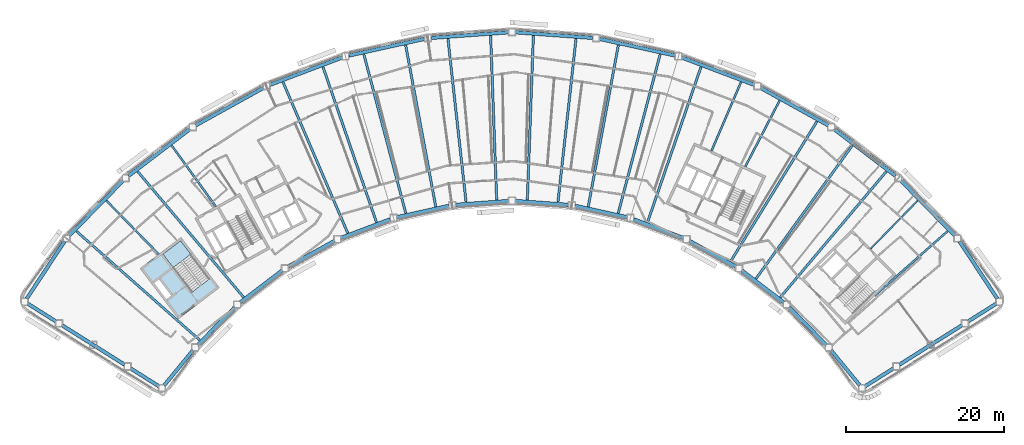
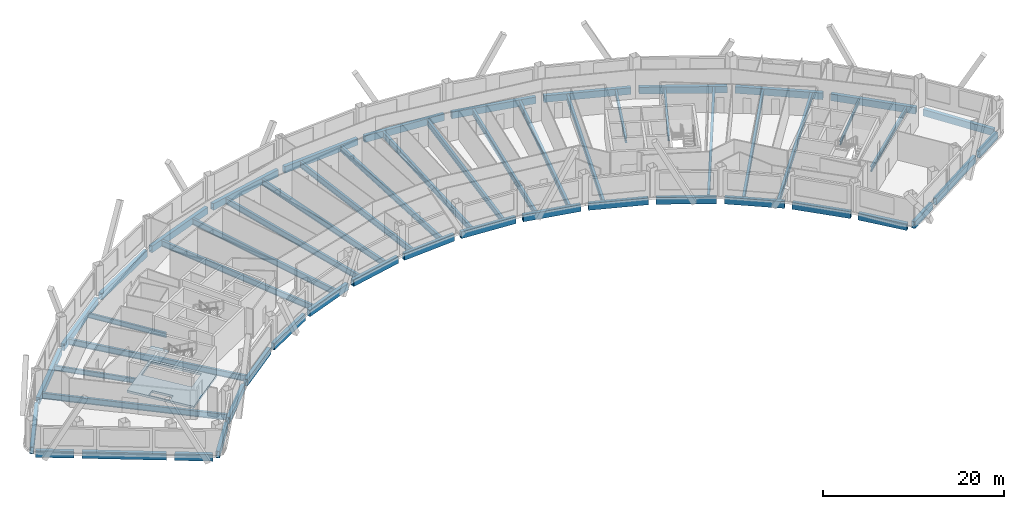
# One storey, part 3 of 15: 56 beams, 2 slabs, 1 element without a shape of its own.
"""IFC4 building model written with IfcOpenShell, lengths in metres."""

from ifc_helpers import new_model, si_unit, direction, frame, origin, origin_2d, place, context, subcontext, project, spatial, polyline, hollow_rectangle, i_section, outline, extrude, material, layer, layer_set, material_profile, profile_set, type_object, element, aggregate, save


model = new_model("IFC4")

# Units and contexts
model_context = context("Model", 3, precision=1e-05, world=origin(), true_north=direction((0.0, 1.0)))
body_context = subcontext(model_context, "Body", "Model", "MODEL_VIEW")
ifc_project = project(units=[si_unit("LENGTHUNIT", "METRE"), si_unit("AREAUNIT", "SQUARE_METRE"), si_unit("VOLUMEUNIT", "CUBIC_METRE"), si_unit("PLANEANGLEUNIT", "RADIAN"), si_unit("MASSUNIT", "GRAM", prefix="KILO")], contexts=[model_context])

# Site, building, storey
site_placement = place(None, origin())
site = spatial("IfcSite", under=ifc_project, at=site_placement, CompositionType="ELEMENT")
building_placement = place(site_placement, origin())
building = spatial("IfcBuilding", under=site, at=building_placement, Name="Tuul Gate Civic Tower", CompositionType="ELEMENT")
storey_placement = place(building_placement, frame((0.0, 0.0, 226.300048828125)))
storey = spatial("IfcBuildingStorey", under=building, at=storey_placement, Name="Level 51", CompositionType="ELEMENT", Elevation=226.300048828125)

# Beams
ifc_material_1 = material(Name="Steel S355", Category="steel")
ifc_material_profile_1 = material_profile(ifc_material_1, i_section(OverallWidth=0.199951171875, OverallDepth=0.5, WebThickness=0.010009765625, FlangeThickness=0.01611328125, at=origin_2d()), Name="PG500x200x10x16")
ifc_profile_set_1 = profile_set([ifc_material_profile_1], Name="Steel S355")
beam_type_1 = type_object("IfcBeamType", Name="STR-FLOOR BEAM-PG500x200x10x16", PredefinedType="BEAM", material=ifc_profile_set_1)
beam_1_placement = place(storey_placement, frame((51.3310546875, -8.854248046875, -0.550048828125), z_axis=(0.698691017766, 0.715423554052, 0.0), x_axis=(-0.715423554052, 0.698691017766, 0.0)))
element("IfcBeam", 1, at=beam_1_placement, inside=storey, type_object=beam_type_1, Name="Floor beam", PredefinedType="BEAM", context=body_context, shape_type="SweptSolid", body=[
    extrude(i_section(OverallWidth=0.199951171875, OverallDepth=0.5, WebThickness=0.010009765625, FlangeThickness=0.01611328125, at=origin_2d()), origin(), (0.0, 0.0, 1.0), 8.50634765625),
])
ifc_material_2 = material(Name="Steel S355", Category="steel")
ifc_material_profile_2 = material_profile(ifc_material_2, i_section(OverallWidth=0.25, OverallDepth=0.64990234375, WebThickness=0.011962890625, FlangeThickness=0.02001953125, at=origin_2d()), Name="PG650x250x12x20")
ifc_profile_set_2 = profile_set([ifc_material_profile_2], Name="Steel S355")
beam_type_2 = type_object("IfcBeamType", Name="STR-FLOOR BEAM-PG650x250x12x20", PredefinedType="BEAM", material=ifc_profile_set_2)
beam_2_placement = place(storey_placement, frame((51.833740234375, -14.790771484375, -0.625), z_axis=(0.749448461943, 0.662062688037, 0.0), x_axis=(-0.662062688037, 0.749448461943, 0.0)))
element("IfcBeam", 2, at=beam_2_placement, inside=storey, type_object=beam_type_2, Name="Floor beam", PredefinedType="BEAM", context=body_context, shape_type="SweptSolid", body=[
    extrude(i_section(OverallWidth=0.25, OverallDepth=0.64990234375, WebThickness=0.011962890625, FlangeThickness=0.02001953125, at=origin_2d()), origin(), (0.0, 0.0, 1.0), 12.31787109375),
])
beam_3_placement = place(storey_placement, frame((35.4609375, 1.528564453125, -0.625), z_axis=(0.460792486789, 0.887507906511, 0.0), x_axis=(-0.887507906511, 0.460792486789, 0.0)))
element("IfcBeam", 3, at=beam_3_placement, inside=storey, type_object=beam_type_2, Name="Floor beam", PredefinedType="BEAM", context=body_context, shape_type="SweptSolid", body=[
    extrude(i_section(OverallWidth=0.25, OverallDepth=0.64990234375, WebThickness=0.011962890625, FlangeThickness=0.02001953125, at=origin_2d()), origin(), (0.0, 0.0, 1.0), 9.4140625),
])
beam_4_placement = place(storey_placement, frame((31.184814453125, 3.5224609375, -0.625), z_axis=(0.394202008704, 0.919023817066, 0.0), x_axis=(-0.919023817066, 0.394202008704, 0.0)))
element("IfcBeam", 4, at=beam_4_placement, inside=storey, type_object=beam_type_2, Name="Floor beam", PredefinedType="BEAM", context=body_context, shape_type="SweptSolid", body=[
    extrude(i_section(OverallWidth=0.25, OverallDepth=0.64990234375, WebThickness=0.011962890625, FlangeThickness=0.02001953125, at=origin_2d()), origin(), (0.0, 0.0, 1.0), 9.48388671875),
])
beam_5_placement = place(storey_placement, frame((-31.535888671875, -3.523193359375, -0.625), z_axis=(-0.586084023539, 0.810250280686, 0.0), x_axis=(-0.810250280686, -0.586084023539, 0.0)))
element("IfcBeam", 5, at=beam_5_placement, inside=storey, type_object=beam_type_2, Name="Floor beam", PredefinedType="BEAM", context=body_context, shape_type="SweptSolid", body=[
    extrude(i_section(OverallWidth=0.25, OverallDepth=0.64990234375, WebThickness=0.011962890625, FlangeThickness=0.02001953125, at=origin_2d()), origin(), (0.0, 0.0, 1.0), 9.53515625),
])
beam_6_placement = place(storey_placement, frame((-38.757568359375, -9.564697265625, -0.625), z_axis=(-0.698678959674, 0.715435329928, 0.0), x_axis=(-0.715435329928, -0.698678959674, 0.0)))
element("IfcBeam", 6, at=beam_6_placement, inside=storey, type_object=beam_type_2, Name="Floor beam", PredefinedType="BEAM", context=body_context, shape_type="SweptSolid", body=[
    extrude(i_section(OverallWidth=0.25, OverallDepth=0.64990234375, WebThickness=0.011962890625, FlangeThickness=0.02001953125, at=origin_2d()), origin(), (0.0, 0.0, 1.0), 9.499755859375),
])
ifc_material_3 = material(Name="Steel S355", Category="steel")
ifc_material_profile_3 = material_profile(ifc_material_3, i_section(OverallWidth=0.300048828125, OverallDepth=0.800048828125, WebThickness=0.013916015625, FlangeThickness=0.02490234375, at=origin_2d()), Name="PG800x300x14x25")
ifc_profile_set_3 = profile_set([ifc_material_profile_3], Name="Steel S355")
beam_type_3 = type_object("IfcBeamType", Name="STR-FLOOR BEAM-PG800x300x14x25", PredefinedType="BEAM", material=ifc_profile_set_3)
beam_7_placement = place(storey_placement, frame((39.8974609375, -15.008056640625, -0.699951171875), z_axis=(0.644132135775, 0.764914238109, 0.0), x_axis=(-0.764914238109, 0.644132135775, 0.0)))
element("IfcBeam", 7, at=beam_7_placement, inside=storey, type_object=beam_type_3, Name="Floor beam", PredefinedType="BEAM", context=body_context, shape_type="SweptSolid", body=[
    extrude(i_section(OverallWidth=0.300048828125, OverallDepth=0.800048828125, WebThickness=0.013916015625, FlangeThickness=0.02490234375, at=origin_2d()), origin(), (0.0, 0.0, 1.0), 20.82568359375),
])
beam_8_placement = place(storey_placement, frame((36.80908203125, -12.656494140625, -0.699951171875), z_axis=(0.586087172263, 0.810248003089, 0.0), x_axis=(-0.810248003089, 0.586087172263, 0.0)))
element("IfcBeam", 8, at=beam_8_placement, inside=storey, type_object=beam_type_3, Name="Floor beam", PredefinedType="BEAM", context=body_context, shape_type="SweptSolid", body=[
    extrude(i_section(OverallWidth=0.300048828125, OverallDepth=0.800048828125, WebThickness=0.013916015625, FlangeThickness=0.02490234375, at=origin_2d()), origin(), (0.0, 0.0, 1.0), 20.806884765625),
])
beam_9_placement = place(storey_placement, frame((33.605712890625, -10.46533203125, -0.699951171875), z_axis=(0.524856706834, 0.851190599861, 0.0), x_axis=(-0.851190599861, 0.524856706834, 0.0)))
element("IfcBeam", 9, at=beam_9_placement, inside=storey, type_object=beam_type_3, Name="Floor beam", PredefinedType="BEAM", context=body_context, shape_type="SweptSolid", body=[
    extrude(i_section(OverallWidth=0.300048828125, OverallDepth=0.800048828125, WebThickness=0.013916015625, FlangeThickness=0.02490234375, at=origin_2d()), origin(), (0.0, 0.0, 1.0), 20.82275390625),
])
beam_10_placement = place(storey_placement, frame((23.0859375, -5.52294921875, -0.699951171875), z_axis=(0.325486974479, 0.945546524209, 0.0), x_axis=(-0.945546524209, 0.325486974479, 0.0)))
element("IfcBeam", 10, at=beam_10_placement, inside=storey, type_object=beam_type_3, Name="Floor beam", PredefinedType="BEAM", context=body_context, shape_type="SweptSolid", body=[
    extrude(i_section(OverallWidth=0.300048828125, OverallDepth=0.800048828125, WebThickness=0.013916015625, FlangeThickness=0.02490234375, at=origin_2d()), origin(), (0.0, 0.0, 1.0), 20.809326171875),
])
beam_11_placement = place(storey_placement, frame((19.37841796875, -4.3759765625, -0.699951171875), z_axis=(0.255007612054, 0.966939045542, 0.0), x_axis=(-0.966939045542, 0.255007612054, 0.0)))
element("IfcBeam", 11, at=beam_11_placement, inside=storey, type_object=beam_type_3, Name="Floor beam", PredefinedType="BEAM", context=body_context, shape_type="SweptSolid", body=[
    extrude(i_section(OverallWidth=0.300048828125, OverallDepth=0.800048828125, WebThickness=0.013916015625, FlangeThickness=0.02490234375, at=origin_2d()), origin(), (0.0, 0.0, 1.0), 20.8173828125),
])
beam_12_placement = place(storey_placement, frame((15.58837890625, -3.540771484375, -0.699951171875), z_axis=(0.1831360046, 0.983087587054, 0.0), x_axis=(-0.983087587054, 0.1831360046, 0.0)))
element("IfcBeam", 12, at=beam_12_placement, inside=storey, type_object=beam_type_3, Name="Floor beam", PredefinedType="BEAM", context=body_context, shape_type="SweptSolid", body=[
    extrude(i_section(OverallWidth=0.300048828125, OverallDepth=0.800048828125, WebThickness=0.013916015625, FlangeThickness=0.02490234375, at=origin_2d()), origin(), (0.0, 0.0, 1.0), 20.811279296875),
])
beam_13_placement = place(storey_placement, frame((11.7509765625, -2.960693359375, -0.699951171875), z_axis=(0.110288630292, 0.993899601584, 0.0), x_axis=(-0.993899601584, 0.110288630292, 0.0)))
element("IfcBeam", 13, at=beam_13_placement, inside=storey, type_object=beam_type_3, Name="Floor beam", PredefinedType="BEAM", context=body_context, shape_type="SweptSolid", body=[
    extrude(i_section(OverallWidth=0.300048828125, OverallDepth=0.800048828125, WebThickness=0.013916015625, FlangeThickness=0.02490234375, at=origin_2d()), origin(), (0.0, 0.0, 1.0), 20.81494140625),
])
for number, where, z_axis, x_axis, name in (
    (14, (7.880126953125, -2.679931640625, -0.699951171875), (0.036833774102, 0.999321406298, 0.0), (-0.999321406298, 0.036833774102, 0.0), "Floor beam"),
    (15, (3.99951171875, -2.679931640625, -0.699951171875), (-0.036833774102, 0.999321406298, 0.0), (-0.999321406298, -0.036833774102, 0.0), "Floor beam"),
):
    element("IfcBeam", number, at=place(storey_placement, frame(where, z_axis=z_axis, x_axis=x_axis)), inside=storey, type_object=beam_type_3, Name=name, PredefinedType="BEAM", context=body_context, shape_type="SweptSolid", body=[
        extrude(i_section(OverallWidth=0.300048828125, OverallDepth=0.800048828125, WebThickness=0.013916015625, FlangeThickness=0.02490234375, at=origin_2d()), origin(), (0.0, 0.0, 1.0), 20.8125),
    ])
beam_14_placement = place(storey_placement, frame((0.128662109375, -2.960693359375, -0.699951171875), z_axis=(-0.110287344613, 0.993899744249, 0.0), x_axis=(-0.993899744249, -0.110287344613, 0.0)))
element("IfcBeam", 16, at=beam_14_placement, inside=storey, type_object=beam_type_3, Name="Floor beam", PredefinedType="BEAM", context=body_context, shape_type="SweptSolid", body=[
    extrude(i_section(OverallWidth=0.300048828125, OverallDepth=0.800048828125, WebThickness=0.013916015625, FlangeThickness=0.02490234375, at=origin_2d()), origin(), (0.0, 0.0, 1.0), 20.815185546875),
])
beam_15_placement = place(storey_placement, frame((-3.708740234375, -3.540771484375, -0.699951171875), z_axis=(-0.183133892551, 0.983087980498, 0.0), x_axis=(-0.983087980498, -0.183133892551, 0.0)))
element("IfcBeam", 17, at=beam_15_placement, inside=storey, type_object=beam_type_3, Name="Floor beam", PredefinedType="BEAM", context=body_context, shape_type="SweptSolid", body=[
    extrude(i_section(OverallWidth=0.300048828125, OverallDepth=0.800048828125, WebThickness=0.013916015625, FlangeThickness=0.02490234375, at=origin_2d()), origin(), (0.0, 0.0, 1.0), 20.8115234375),
])
beam_16_placement = place(storey_placement, frame((-7.498779296875, -4.3759765625, -0.699951171875), z_axis=(-0.255004720301, 0.96693980817, 0.0), x_axis=(-0.96693980817, -0.255004720301, 0.0)))
element("IfcBeam", 18, at=beam_16_placement, inside=storey, type_object=beam_type_3, Name="Floor beam", PredefinedType="BEAM", context=body_context, shape_type="SweptSolid", body=[
    extrude(i_section(OverallWidth=0.300048828125, OverallDepth=0.800048828125, WebThickness=0.013916015625, FlangeThickness=0.02490234375, at=origin_2d()), origin(), (0.0, 0.0, 1.0), 20.817626953125),
])
beam_17_placement = place(storey_placement, frame((-11.20654296875, -5.522705078125, -0.699951171875), z_axis=(-0.325476485131, 0.945550134909, 0.0), x_axis=(-0.945550134909, -0.325476485131, 0.0)))
element("IfcBeam", 19, at=beam_17_placement, inside=storey, type_object=beam_type_3, Name="Floor beam", PredefinedType="BEAM", context=body_context, shape_type="SweptSolid", body=[
    extrude(i_section(OverallWidth=0.300048828125, OverallDepth=0.800048828125, WebThickness=0.013916015625, FlangeThickness=0.02490234375, at=origin_2d()), origin(), (0.0, 0.0, 1.0), 20.809326171875),
])
beam_18_placement = place(storey_placement, frame((-14.836669921875, -6.895263671875, -0.699951171875), z_axis=(-0.394196672068, 0.91902610612, 0.0), x_axis=(-0.91902610612, -0.394196672068, 0.0)))
element("IfcBeam", 20, at=beam_18_placement, inside=storey, type_object=beam_type_3, Name="Floor beam", PredefinedType="BEAM", context=body_context, shape_type="SweptSolid", body=[
    extrude(i_section(OverallWidth=0.300048828125, OverallDepth=0.800048828125, WebThickness=0.013916015625, FlangeThickness=0.02490234375, at=origin_2d()), origin(), (0.0, 0.0, 1.0), 20.819580078125),
])
beam_19_placement = place(storey_placement, frame((-28.017822265625, -15.0078125, -0.699951171875), z_axis=(-0.644126359816, 0.764919101991, 0.0), x_axis=(-0.764919101991, -0.644126359816, 0.0)))
element("IfcBeam", 21, at=beam_19_placement, inside=storey, type_object=beam_type_3, Name="Floor beam", PredefinedType="BEAM", context=body_context, shape_type="SweptSolid", body=[
    extrude(i_section(OverallWidth=0.300048828125, OverallDepth=0.800048828125, WebThickness=0.013916015625, FlangeThickness=0.02490234375, at=origin_2d()), origin(), (0.0, 0.0, 1.0), 20.825927734375),
])
beam_20_placement = place(storey_placement, frame((-33.57568359375, -20.42529296875, -0.699951171875), z_axis=(-0.749447427269, 0.662063859277, 0.0), x_axis=(-0.662063859277, -0.749447427269, 0.0)))
element("IfcBeam", 22, at=beam_20_placement, inside=storey, type_object=beam_type_3, Name="Floor beam", PredefinedType="BEAM", context=body_context, shape_type="SweptSolid", body=[
    extrude(i_section(OverallWidth=0.300048828125, OverallDepth=0.800048828125, WebThickness=0.013916015625, FlangeThickness=0.02490234375, at=origin_2d()), origin(), (0.0, 0.0, 1.0), 20.82861328125),
])
ifc_material_4 = material(Name="Steel S355", Category="steel")
ifc_material_profile_4 = material_profile(ifc_material_4, hollow_rectangle(XDim=0.449951171875, YDim=0.89990234375, WallThickness=0.02490234375, at=origin_2d()), Name="BOX900x450x25")
ifc_profile_set_4 = profile_set([ifc_material_profile_4], Name="Steel S355")
beam_type_4 = type_object("IfcBeamType", Name="STR-SPANDREL BEAM-BOX900x450x25", PredefinedType="BEAM", material=ifc_profile_set_4)
beam_21_placement = place(storey_placement, frame((67.36279296875, -15.187744140625, -0.75), z_axis=(-0.551583824499, 0.834119466594, 0.0), x_axis=(-0.834119466594, -0.551583824499, 0.0)))
element("IfcBeam", 23, at=beam_21_placement, inside=storey, type_object=beam_type_4, Name="Spandrel beam", PredefinedType="BEAM", context=body_context, shape_type="SweptSolid", body=[
    extrude(hollow_rectangle(XDim=0.449951171875, YDim=0.89990234375, WallThickness=0.02490234375, at=origin_2d()), origin(), (0.0, 0.0, 1.0), 8.706787109375),
])
beam_22_placement = place(storey_placement, frame((61.9970703125, -7.228759765625, -0.75), z_axis=(-0.700043201451, 0.7141004944, 0.0), x_axis=(-0.7141004944, -0.700043201451, 0.0)))
element("IfcBeam", 24, at=beam_22_placement, inside=storey, type_object=beam_type_4, Name="Spandrel beam", PredefinedType="BEAM", context=body_context, shape_type="SweptSolid", body=[
    extrude(hollow_rectangle(XDim=0.449951171875, YDim=0.89990234375, WallThickness=0.02490234375, at=origin_2d()), origin(), (0.0, 0.0, 1.0), 9.77783203125),
])
beam_23_placement = place(storey_placement, frame((54.47900390625, 0.34765625, -0.75), z_axis=(-0.795631153365, 0.605781369634, 0.0), x_axis=(-0.605781369634, -0.795631153365, 0.0)))
element("IfcBeam", 25, at=beam_23_placement, inside=storey, type_object=beam_type_4, Name="Spandrel beam", PredefinedType="BEAM", context=body_context, shape_type="SweptSolid", body=[
    extrude(hollow_rectangle(XDim=0.449951171875, YDim=0.89990234375, WallThickness=0.02490234375, at=origin_2d()), origin(), (0.0, 0.0, 1.0), 9.777099609375),
])
beam_24_placement = place(storey_placement, frame((45.948486328125, 6.76123046875, -0.75), z_axis=(-0.874650322207, 0.48475438509, 0.0), x_axis=(-0.48475438509, -0.874650322207, 0.0)))
element("IfcBeam", 26, at=beam_24_placement, inside=storey, type_object=beam_type_4, Name="Spandrel beam", PredefinedType="BEAM", context=body_context, shape_type="SweptSolid", body=[
    extrude(hollow_rectangle(XDim=0.449951171875, YDim=0.89990234375, WallThickness=0.02490234375, at=origin_2d()), origin(), (0.0, 0.0, 1.0), 9.777587890625),
])
for number, where, z_axis, x_axis, name in (
    (27, (36.58203125, 11.878173828125, -0.75), (-0.935338294107, 0.353754541423, 0.0), (-0.353754541423, -0.935338294107, 0.0), "Spandrel beam"),
    (28, (26.57666015625, 15.5927734375, -0.75), (-0.976560449923, 0.215243321955, 0.0), (-0.215243321955, -0.976560449923, 0.0), "Spandrel beam"),
):
    element("IfcBeam", number, at=place(storey_placement, frame(where, z_axis=z_axis, x_axis=x_axis)), inside=storey, type_object=beam_type_4, Name=name, PredefinedType="BEAM", context=body_context, shape_type="SweptSolid", body=[
        extrude(hollow_rectangle(XDim=0.449951171875, YDim=0.89990234375, WallThickness=0.02490234375, at=origin_2d()), origin(), (0.0, 0.0, 1.0), 9.77734375),
    ])
beam_25_placement = place(storey_placement, frame((16.14013671875, 17.826416015625, -0.75), z_axis=(-0.997388890217, 0.072217737926, 0.0), x_axis=(-0.072217737926, -0.997388890217, 0.0)))
element("IfcBeam", 29, at=beam_25_placement, inside=storey, type_object=beam_type_4, Name="Spandrel beam", PredefinedType="BEAM", context=body_context, shape_type="SweptSolid", body=[
    extrude(hollow_rectangle(XDim=0.449951171875, YDim=0.89990234375, WallThickness=0.02490234375, at=origin_2d()), origin(), (0.0, 0.0, 1.0), 9.77685546875),
])
beam_26_placement = place(storey_placement, frame((5.4912109375, 18.532470703125, -0.75), z_axis=(-0.997389541279, -0.072208745641, 0.0), x_axis=(0.072208745641, -0.997389541279, 0.0)))
element("IfcBeam", 30, at=beam_26_placement, inside=storey, type_object=beam_type_4, Name="Spandrel beam", PredefinedType="BEAM", context=body_context, shape_type="SweptSolid", body=[
    extrude(hollow_rectangle(XDim=0.449951171875, YDim=0.89990234375, WallThickness=0.02490234375, at=origin_2d()), origin(), (0.0, 0.0, 1.0), 9.778076171875),
])
for number, where, z_axis, x_axis, name in (
    (31, (-5.1494140625, 17.697265625, -0.75), (-0.976560449923, -0.215243321955, 0.0), (0.215243321955, -0.976560449923, 0.0), "Spandrel beam"),
    (32, (-15.557861328125, 15.3369140625, -0.75), (-0.93534141884, -0.353746279418, 0.0), (0.353746279418, -0.93534141884, 0.0), "Spandrel beam"),
    (33, (-25.517578125, 11.5009765625, -0.75), (-0.874644454553, -0.484764972042, 0.0), (0.484764972042, -0.874644454553, 0.0), "Spandrel beam"),
):
    element("IfcBeam", number, at=place(storey_placement, frame(where, z_axis=z_axis, x_axis=x_axis)), inside=storey, type_object=beam_type_4, Name=name, PredefinedType="BEAM", context=body_context, shape_type="SweptSolid", body=[
        extrude(hollow_rectangle(XDim=0.449951171875, YDim=0.89990234375, WallThickness=0.02490234375, at=origin_2d()), origin(), (0.0, 0.0, 1.0), 9.77734375),
    ])
for number, where, z_axis, x_axis, name in (
    (34, (-34.821044921875, 6.2705078125, -0.75), (-0.795621989686, -0.605793404989, 0.0), (0.605793404989, -0.795621989686, 0.0), "Spandrel beam"),
    (35, (-43.27294921875, -0.246337890625, -0.75), (-0.700004749071, -0.714138187803, 0.0), (0.714138187803, -0.700004749071, 0.0), "Spandrel beam"),
):
    element("IfcBeam", number, at=place(storey_placement, frame(where, z_axis=z_axis, x_axis=x_axis)), inside=storey, type_object=beam_type_4, Name=name, PredefinedType="BEAM", context=body_context, shape_type="SweptSolid", body=[
        extrude(hollow_rectangle(XDim=0.449951171875, YDim=0.89990234375, WallThickness=0.02490234375, at=origin_2d()), origin(), (0.0, 0.0, 1.0), 9.777099609375),
    ])
beam_27_placement = place(storey_placement, frame((-50.68017578125, -7.92529296875, -0.75), z_axis=(-0.551583824499, -0.834119466594, 0.0), x_axis=(0.834119466594, -0.551583824499, 0.0)))
element("IfcBeam", 36, at=beam_27_placement, inside=storey, type_object=beam_type_4, Name="Spandrel beam", PredefinedType="BEAM", context=body_context, shape_type="SweptSolid", body=[
    extrude(hollow_rectangle(XDim=0.449951171875, YDim=0.89990234375, WallThickness=0.02490234375, at=origin_2d()), origin(), (0.0, 0.0, 1.0), 8.706787109375),
])
beam_28_placement = place(storey_placement, frame((-55.35009765625, -15.802734375, -0.75), z_axis=(0.846220312891, -0.532833165307, 0.0), x_axis=(0.532833165307, 0.846220312891, 0.0)))
element("IfcBeam", 37, at=beam_28_placement, inside=storey, type_object=beam_type_4, Name="Spandrel beam", PredefinedType="BEAM", context=body_context, shape_type="SweptSolid", body=[
    extrude(hollow_rectangle(XDim=0.449951171875, YDim=0.89990234375, WallThickness=0.02490234375, at=origin_2d()), origin(), (0.0, 0.0, 1.0), 4.23095703125),
])
beam_29_placement = place(storey_placement, frame((-51.00830078125, -18.536865234375, -0.75), z_axis=(0.84616970281, -0.532913533367, 0.0), x_axis=(0.532913533367, 0.84616970281, 0.0)))
element("IfcBeam", 38, at=beam_29_placement, inside=storey, type_object=beam_type_4, Name="Spandrel beam", PredefinedType="BEAM", context=body_context, shape_type="SweptSolid", body=[
    extrude(hollow_rectangle(XDim=0.449951171875, YDim=0.89990234375, WallThickness=0.02490234375, at=origin_2d()), origin(), (0.0, 0.0, 1.0), 9.364013671875),
])
beam_30_placement = place(storey_placement, frame((-42.3232421875, -24.0068359375, -0.75), z_axis=(0.846285824254, -0.532729109085, 0.0), x_axis=(0.532729109085, 0.846285824254, 0.0)))
element("IfcBeam", 39, at=beam_30_placement, inside=storey, type_object=beam_type_4, Name="Spandrel beam", PredefinedType="BEAM", context=body_context, shape_type="SweptSolid", body=[
    extrude(hollow_rectangle(XDim=0.449951171875, YDim=0.89990234375, WallThickness=0.02490234375, at=origin_2d()), origin(), (0.0, 0.0, 1.0), 4.231689453125),
])
beam_31_placement = place(storey_placement, frame((-38.075439453125, -26.153076171875, -0.75), z_axis=(0.634388157307, 0.773014660837, 0.0), x_axis=(-0.773014660837, 0.634388157307, 0.0)))
element("IfcBeam", 40, at=beam_31_placement, inside=storey, type_object=beam_type_4, Name="Spandrel beam", PredefinedType="BEAM", context=body_context, shape_type="SweptSolid", body=[
    extrude(hollow_rectangle(XDim=0.449951171875, YDim=0.89990234375, WallThickness=0.02490234375, at=origin_2d()), origin(), (0.0, 0.0, 1.0), 5.751953125),
])
beam_32_placement = place(storey_placement, frame((-33.825927734375, -21.03759765625, -0.75), z_axis=(0.700011215993, 0.71413184881, 0.0), x_axis=(-0.71413184881, 0.700011215993, 0.0)))
element("IfcBeam", 41, at=beam_32_placement, inside=storey, type_object=beam_type_4, Name="Spandrel beam", PredefinedType="BEAM", context=body_context, shape_type="SweptSolid", body=[
    extrude(hollow_rectangle(XDim=0.449951171875, YDim=0.89990234375, WallThickness=0.02490234375, at=origin_2d()), origin(), (0.0, 0.0, 1.0), 6.691162109375),
])
beam_33_placement = place(storey_placement, frame((-28.468994140625, -15.665283203125, -0.75), z_axis=(0.795622636526, 0.605792555458, 0.0), x_axis=(-0.605792555458, 0.795622636526, 0.0)))
element("IfcBeam", 42, at=beam_33_placement, inside=storey, type_object=beam_type_4, Name="Spandrel beam", PredefinedType="BEAM", context=body_context, shape_type="SweptSolid", body=[
    extrude(hollow_rectangle(XDim=0.449951171875, YDim=0.89990234375, WallThickness=0.02490234375, at=origin_2d()), origin(), (0.0, 0.0, 1.0), 6.691650390625),
])
beam_34_placement = place(storey_placement, frame((-22.393310546875, -11.120849609375, -0.75), z_axis=(0.874595742166, 0.484852851683, 0.0), x_axis=(-0.484852851683, 0.874595742166, 0.0)))
element("IfcBeam", 43, at=beam_34_placement, inside=storey, type_object=beam_type_4, Name="Spandrel beam", PredefinedType="BEAM", context=body_context, shape_type="SweptSolid", body=[
    extrude(hollow_rectangle(XDim=0.449951171875, YDim=0.89990234375, WallThickness=0.02490234375, at=origin_2d()), origin(), (0.0, 0.0, 1.0), 6.69189453125),
])
beam_35_placement = place(storey_placement, frame((-15.72607421875, -7.498779296875, -0.75), z_axis=(0.935369130225, 0.353672999001, 0.0), x_axis=(-0.353672999001, 0.935369130225, 0.0)))
element("IfcBeam", 44, at=beam_35_placement, inside=storey, type_object=beam_type_4, Name="Spandrel beam", PredefinedType="BEAM", context=body_context, shape_type="SweptSolid", body=[
    extrude(hollow_rectangle(XDim=0.449951171875, YDim=0.89990234375, WallThickness=0.02490234375, at=origin_2d()), origin(), (0.0, 0.0, 1.0), 6.691650390625),
])
for number, where, z_axis, x_axis, name in (
    (45, (-8.6064453125, -4.876220703125, -0.75), (0.976558183094, 0.215253606316, 0.0), (-0.215253606316, 0.976558183094, 0.0), "Spandrel beam"),
    (46, (-1.18310546875, -3.306396484375, -0.75), (0.997382203544, 0.07231002734, 0.0), (-0.07231002734, 0.997382203544, 0.0), "Spandrel beam"),
    (47, (6.388916015625, -2.822509765625, -0.75), (0.997382203544, -0.07231002734, 0.0), (0.07231002734, 0.997382203544, 0.0), "Spandrel beam"),
):
    element("IfcBeam", number, at=place(storey_placement, frame(where, z_axis=z_axis, x_axis=x_axis)), inside=storey, type_object=beam_type_4, Name=name, PredefinedType="BEAM", context=body_context, shape_type="SweptSolid", body=[
        extrude(hollow_rectangle(XDim=0.449951171875, YDim=0.89990234375, WallThickness=0.02490234375, at=origin_2d()), origin(), (0.0, 0.0, 1.0), 6.69189453125),
    ])
beam_36_placement = place(storey_placement, frame((13.951416015625, -3.435791015625, -0.75), z_axis=(0.976553110966, -0.215276616152, 0.0), x_axis=(0.215276616152, 0.976553110966, 0.0)))
element("IfcBeam", 48, at=beam_36_placement, inside=storey, type_object=beam_type_4, Name="Spandrel beam", PredefinedType="BEAM", context=body_context, shape_type="SweptSolid", body=[
    extrude(hollow_rectangle(XDim=0.449951171875, YDim=0.89990234375, WallThickness=0.02490234375, at=origin_2d()), origin(), (0.0, 0.0, 1.0), 6.691162109375),
])
beam_37_placement = place(storey_placement, frame((21.345947265625, -5.132080078125, -0.75), z_axis=(0.935364566442, -0.353685068732, 0.0), x_axis=(0.353685068732, 0.935364566442, 0.0)))
element("IfcBeam", 49, at=beam_37_placement, inside=storey, type_object=beam_type_4, Name="Spandrel beam", PredefinedType="BEAM", context=body_context, shape_type="SweptSolid", body=[
    extrude(hollow_rectangle(XDim=0.449951171875, YDim=0.89990234375, WallThickness=0.02490234375, at=origin_2d()), origin(), (0.0, 0.0, 1.0), 6.691650390625),
])
beam_38_placement = place(storey_placement, frame((28.419677734375, -7.876220703125, -0.75), z_axis=(0.874595742166, -0.484852851683, 0.0), x_axis=(0.484852851683, 0.874595742166, 0.0)))
element("IfcBeam", 50, at=beam_38_placement, inside=storey, type_object=beam_type_4, Name="Spandrel beam", PredefinedType="BEAM", context=body_context, shape_type="SweptSolid", body=[
    extrude(hollow_rectangle(XDim=0.449951171875, YDim=0.89990234375, WallThickness=0.02490234375, at=origin_2d()), origin(), (0.0, 0.0, 1.0), 6.69189453125),
])
beam_39_placement = place(storey_placement, frame((35.02392578125, -11.611572265625, -0.75), z_axis=(0.795622636526, -0.605792555458, 0.0), x_axis=(0.605792555458, 0.795622636526, 0.0)))
element("IfcBeam", 51, at=beam_39_placement, inside=storey, type_object=beam_type_4, Name="Spandrel beam", PredefinedType="BEAM", context=body_context, shape_type="SweptSolid", body=[
    extrude(hollow_rectangle(XDim=0.449951171875, YDim=0.89990234375, WallThickness=0.02490234375, at=origin_2d()), origin(), (0.0, 0.0, 1.0), 6.691650390625),
])
beam_40_placement = place(storey_placement, frame((41.02099609375, -16.25927734375, -0.75), z_axis=(0.700104238237, -0.714040654027, 0.0), x_axis=(0.714040654027, 0.700104238237, 0.0)))
element("IfcBeam", 52, at=beam_40_placement, inside=storey, type_object=beam_type_4, Name="Spandrel beam", PredefinedType="BEAM", context=body_context, shape_type="SweptSolid", body=[
    extrude(hollow_rectangle(XDim=0.449951171875, YDim=0.89990234375, WallThickness=0.02490234375, at=origin_2d()), origin(), (0.0, 0.0, 1.0), 6.69189453125),
])
beam_41_placement = place(storey_placement, frame((46.306396484375, -21.706787109375, -0.75), z_axis=(0.63441351957, -0.772993846151, 0.0), x_axis=(0.772993846151, 0.63441351957, 0.0)))
element("IfcBeam", 53, at=beam_41_placement, inside=storey, type_object=beam_type_4, Name="Spandrel beam", PredefinedType="BEAM", context=body_context, shape_type="SweptSolid", body=[
    extrude(hollow_rectangle(XDim=0.449951171875, YDim=0.89990234375, WallThickness=0.02490234375, at=origin_2d()), origin(), (0.0, 0.0, 1.0), 5.751953125),
])
beam_42_placement = place(storey_placement, frame((50.621826171875, -26.26123046875, -0.75), z_axis=(0.846220312891, 0.532833165307, 0.0), x_axis=(-0.532833165307, 0.846220312891, 0.0)))
element("IfcBeam", 54, at=beam_42_placement, inside=storey, type_object=beam_type_4, Name="Spandrel beam", PredefinedType="BEAM", context=body_context, shape_type="SweptSolid", body=[
    extrude(hollow_rectangle(XDim=0.449951171875, YDim=0.89990234375, WallThickness=0.02490234375, at=origin_2d()), origin(), (0.0, 0.0, 1.0), 4.23095703125),
])
beam_43_placement = place(storey_placement, frame((54.9638671875, -23.527099609375, -0.75), z_axis=(0.846162298174, 0.532925290401, 0.0), x_axis=(-0.532925290401, 0.846162298174, 0.0)))
element("IfcBeam", 55, at=beam_43_placement, inside=storey, type_object=beam_type_4, Name="Spandrel beam", PredefinedType="BEAM", context=body_context, shape_type="SweptSolid", body=[
    extrude(hollow_rectangle(XDim=0.449951171875, YDim=0.89990234375, WallThickness=0.02490234375, at=origin_2d()), origin(), (0.0, 0.0, 1.0), 9.36376953125),
])
beam_44_placement = place(storey_placement, frame((63.64892578125, -18.057373046875, -0.75), z_axis=(0.846259814063, 0.532770426264, 0.0), x_axis=(-0.532770426264, 0.846259814063, 0.0)))
element("IfcBeam", 56, at=beam_44_placement, inside=storey, type_object=beam_type_4, Name="Spandrel beam", PredefinedType="BEAM", context=body_context, shape_type="SweptSolid", body=[
    extrude(hollow_rectangle(XDim=0.449951171875, YDim=0.89990234375, WallThickness=0.02490234375, at=origin_2d()), origin(), (0.0, 0.0, 1.0), 4.23193359375),
])

# Slab
ifc_material_5 = material(Name="Concrete C40/50", Category="concrete")
ifc_layer_1 = layer(ifc_material_5, 0.300048828125)
ifc_layer_set_1 = layer_set([ifc_layer_1], Name="Concrete C40/50")
slab_type_1 = type_object("IfcSlabType", Name="Core floor slab 300", PredefinedType="FLOOR", material=ifc_layer_set_1)
slab_1_placement = place(storey_placement, frame((0.0, 0.0, -0.300048828125)))
element("IfcSlab", 57, at=slab_1_placement, inside=storey, type_object=slab_type_1, Name="FLOOR SLAB", PredefinedType="FLOOR", context=body_context, shape_type="SweptSolid", body=[
    extrude(outline(polyline([(-31.10009765625, -13.7890625), (-35.946044921875, -7.423828125), (-41.11767578125, -11.361572265625), (-36.271484375, -17.726806640625), (-31.10009765625, -13.7890625)]), holes=[polyline([(-37.19287109375, -14.783203125), (-38.737548828125, -12.75439453125), (-39.45361328125, -13.299560546875), (-37.908935546875, -15.328369140625), (-37.19287109375, -14.783203125)]), polyline([(-32.33935546875, -12.65771484375), (-34.56591796875, -14.352783203125), (-38.229736328125, -9.54052734375), (-36.003173828125, -7.845458984375), (-32.33935546875, -12.65771484375)])]), origin(), (0.0, 0.0, 1.0), 0.300048828125),
])

# Stair, slab
ifc_material_6 = material(Name="Concrete C40/50", Category="concrete")
stair_type = type_object("IfcStairType", Name="Exit stair", PredefinedType="HALF_TURN_STAIR", material=ifc_material_6)
stair_placement = place(storey_placement, origin())
stair = element("IfcStair", 58, at=stair_placement, inside=storey, type_object=stair_type, Name="Level 51 ST-1", PredefinedType="HALF_TURN_STAIR")
ifc_material_7 = material(Name="Concrete C40/50", Category="concrete")
ifc_layer_2 = layer(ifc_material_7, 0.199951171875)
ifc_layer_set_2 = layer_set([ifc_layer_2], Name="Concrete C40/50")
slab_type_2 = type_object("IfcSlabType", Name="Exit stair landing", PredefinedType="LANDING", material=ifc_layer_set_2)
slab_2_placement = place(storey_placement, frame((0.0, 0.0, 1.89990234375)))
slab_2 = element("IfcSlab", 59, at=slab_2_placement, type_object=slab_type_2, Name="ST-1 landing 1", PredefinedType="LANDING", context=body_context, shape_type="SweptSolid", body=[
    extrude(outline(polyline([(-34.699462890625, -9.554931640625), (-36.9287109375, -11.252197265625), (-38.23193359375, -9.540283203125), (-36.0029296875, -7.843017578125), (-34.699462890625, -9.554931640625)])), origin(), (0.0, 0.0, 1.0), 0.199951171875),
])
aggregate(stair, [slab_2])

save(model, "model.ifc")
